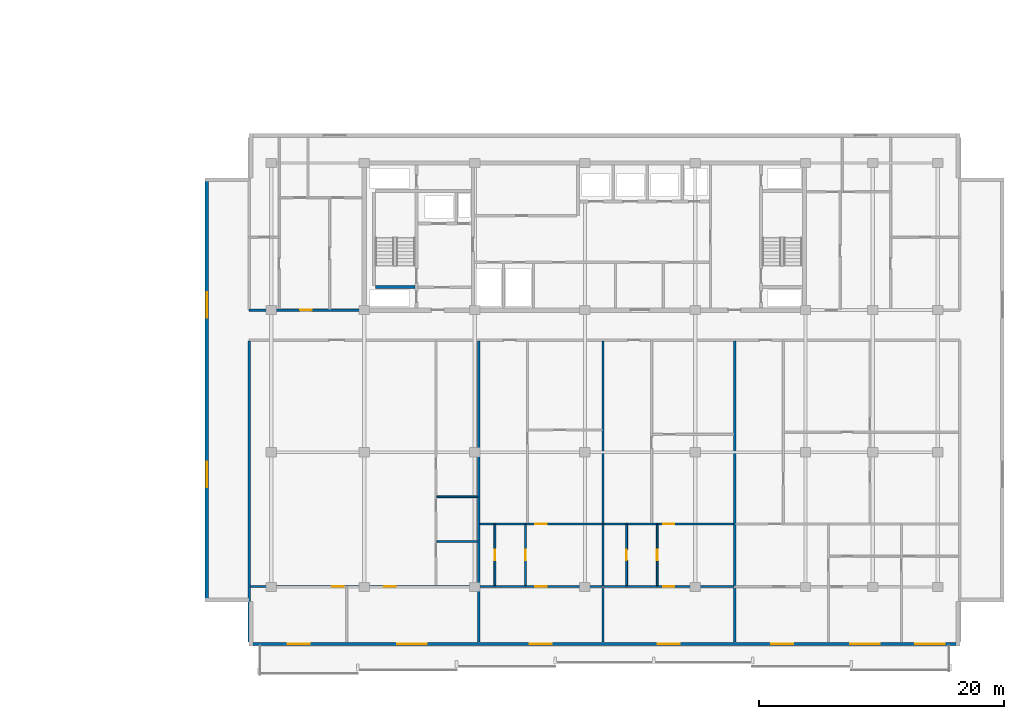
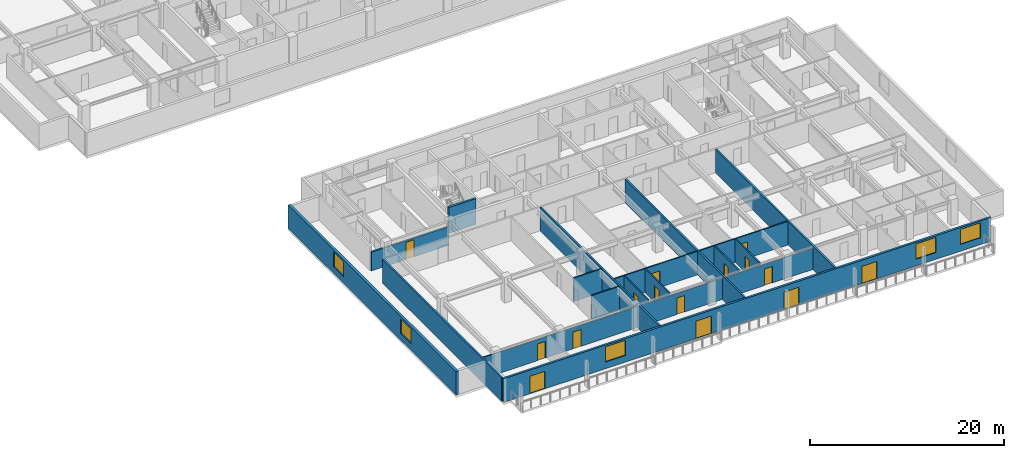
# One storey, part 4 of 21: 19 walls, 15 doors, 5 windows, 20 openings.
"""IFC4 building model written with IfcOpenShell, lengths in metres."""

from ifc_helpers import new_model, si_unit, direction, frame, frame_2d, origin, place, context, subcontext, project, spatial, rectangle, extrude, material, layer, layer_set, type_object, element, fill, save


model = new_model("IFC4")

# Units and contexts
model_context = context("Model", 3, precision=1e-05, world=origin(), true_north=direction((0.0, 1.0)))
body_context = subcontext(model_context, "Body", "Model", "MODEL_VIEW")
ifc_project = project(units=[si_unit("LENGTHUNIT", "METRE"), si_unit("AREAUNIT", "SQUARE_METRE"), si_unit("VOLUMEUNIT", "CUBIC_METRE"), si_unit("PLANEANGLEUNIT", "RADIAN"), si_unit("MASSUNIT", "GRAM", prefix="KILO")], contexts=[model_context])

# Site, building, storey
site_placement = place(None, origin())
site = spatial("IfcSite", under=ifc_project, at=site_placement, CompositionType="ELEMENT")
building_placement = place(site_placement, origin())
building = spatial("IfcBuilding", under=site, at=building_placement, Name="Korimba Cascade Residences", CompositionType="ELEMENT")
storey_placement = place(building_placement, frame((0.0, 0.0, 103.550048828125)))
storey = spatial("IfcBuildingStorey", under=building, at=storey_placement, Name="L29", CompositionType="ELEMENT", Elevation=103.550048828125)

# Wall, openings, doors, windows
ifc_material_1 = material(Name="Precast concrete C40/50", Category="concrete")
ifc_layer_1 = layer(ifc_material_1, 0.25)
ifc_layer_set_1 = layer_set([ifc_layer_1], Name="Precast concrete C40/50")
wall_type_1 = type_object("IfcWallType", Name="EW-LOG-250", PredefinedType="STANDARD", material=ifc_layer_set_1)
wall_1_placement = place(storey_placement, frame((72.699951171875, -8.85009765625, 0.0), z_axis=(0.0, 0.0, 1.0), x_axis=(1.0, 0.0, 0.0)))
wall_1 = element("IfcWall", 1, at=wall_1_placement, inside=storey, type_object=wall_type_1, Name="L29 T2 Perimeter Stone Wall E00", PredefinedType="STANDARD", context=body_context, shape_type="SweptSolid", body=[
    extrude(rectangle(XDim=58.0, YDim=0.25, at=frame_2d((29.0, 0.0))), origin(), (0.0, 0.0, 1.0), 2.969970703125),
])
opening_1_placement = place(wall_1_placement, frame((3.137451171875, 0.0, 0.0)))
opening_1 = element("IfcOpeningElement", 2, at=opening_1_placement, cuts=wall_1, Name="Opening D-LG1", PredefinedType="OPENING", context=body_context, shape_type="SweptSolid", body=[
    extrude(rectangle(XDim=1.800048828125, YDim=2.199951171875, at=frame_2d((0.89990234375, 1.10009765625))), frame((0.0, 0.135009765625, 0.0), z_axis=(0.0, -1.0, 0.0), x_axis=(1.0, 0.0, 0.0)), (0.0, 0.0, 1.0), 0.27001953125),
])
opening_2_placement = place(wall_1_placement, frame((12.092529296875, 0.0, 0.85009765625)))
opening_2 = element("IfcOpeningElement", 3, at=opening_2_placement, cuts=wall_1, Name="Opening W-01", PredefinedType="OPENING", context=body_context, shape_type="SweptSolid", body=[
    extrude(rectangle(XDim=2.39990234375, YDim=1.89990234375, at=frame_2d((1.199951171875, 0.949951171875))), frame((0.0, 0.135009765625, 0.0), z_axis=(0.0, -1.0, 0.0), x_axis=(1.0, 0.0, 0.0)), (0.0, 0.0, 1.0), 0.27001953125),
])
opening_3_placement = place(wall_1_placement, frame((22.91259765625, 0.0, 0.0)))
opening_3 = element("IfcOpeningElement", 4, at=opening_3_placement, cuts=wall_1, Name="Opening D-LG1", PredefinedType="OPENING", context=body_context, shape_type="SweptSolid", body=[
    extrude(rectangle(XDim=1.800048828125, YDim=2.199951171875, at=frame_2d((0.89990234375, 1.10009765625))), frame((0.0, 0.135009765625, 0.0), z_axis=(0.0, -1.0, 0.0), x_axis=(1.0, 0.0, 0.0)), (0.0, 0.0, 1.0), 0.27001953125),
])
opening_4_placement = place(wall_1_placement, frame((33.35009765625, 0.0, 0.0)))
opening_4 = element("IfcOpeningElement", 5, at=opening_4_placement, cuts=wall_1, Name="Opening D-LG1", PredefinedType="OPENING", context=body_context, shape_type="SweptSolid", body=[
    extrude(rectangle(XDim=1.800048828125, YDim=2.199951171875, at=frame_2d((0.89990234375, 1.10009765625))), frame((0.0, 0.135009765625, 0.0), z_axis=(0.0, -1.0, 0.0), x_axis=(1.0, 0.0, 0.0)), (0.0, 0.0, 1.0), 0.27001953125),
])
opening_5_placement = place(wall_1_placement, frame((49.054931640625, 0.0, 0.85009765625)))
opening_5 = element("IfcOpeningElement", 6, at=opening_5_placement, cuts=wall_1, Name="Opening W-01", PredefinedType="OPENING", context=body_context, shape_type="SweptSolid", body=[
    extrude(rectangle(XDim=2.39990234375, YDim=1.89990234375, at=frame_2d((1.199951171875, 0.949951171875))), frame((0.0, 0.135009765625, 0.0), z_axis=(0.0, -1.0, 0.0), x_axis=(1.0, 0.0, 0.0)), (0.0, 0.0, 1.0), 0.27001953125),
])
opening_6_placement = place(wall_1_placement, frame((42.612548828125, 0.0, 0.0)))
opening_6 = element("IfcOpeningElement", 7, at=opening_6_placement, cuts=wall_1, Name="Opening D-LG1", PredefinedType="OPENING", context=body_context, shape_type="SweptSolid", body=[
    extrude(rectangle(XDim=1.800048828125, YDim=2.199951171875, at=frame_2d((0.89990234375, 1.10009765625))), frame((0.0, 0.135009765625, 0.0), z_axis=(0.0, -1.0, 0.0), x_axis=(1.0, 0.0, 0.0)), (0.0, 0.0, 1.0), 0.27001953125),
])
opening_7_placement = place(wall_1_placement, frame((54.35498046875, 0.0, 0.85009765625)))
opening_7 = element("IfcOpeningElement", 8, at=opening_7_placement, cuts=wall_1, Name="Opening W-01", PredefinedType="OPENING", context=body_context, shape_type="SweptSolid", body=[
    extrude(rectangle(XDim=2.39990234375, YDim=1.89990234375, at=frame_2d((1.199951171875, 0.949951171875))), frame((0.0, 0.135009765625, 0.0), z_axis=(0.0, -1.0, 0.0), x_axis=(1.0, 0.0, 0.0)), (0.0, 0.0, 1.0), 0.27001953125),
])
ifc_material_2 = material(Name="Glazed Aluminium Loggia Sliding Door", Category="aluminium")
door_type_1 = type_object("IfcDoorType", Name="DR-EXT-LOG", OperationType="NOTDEFINED", PredefinedType="DOOR", material=ifc_material_2)
door_1_placement = place(opening_1_placement, origin())
door_1 = element("IfcDoor", 9, at=door_1_placement, inside=storey, type_object=door_type_1, Name="L29 T2 Loggia Sliding Door 3", OperationType="SLIDING_TO_RIGHT", OverallHeight=2.199951171875, OverallWidth=1.800048828125, PredefinedType="DOOR", context=body_context, shape_type="SweptSolid", body=[
    extrude(rectangle(XDim=1.800048828125, YDim=2.199951171875, at=frame_2d((0.89990234375, 1.10009765625))), frame((0.0, 0.02490234375, 0.0), z_axis=(0.0, -1.0, 0.0), x_axis=(1.0, 0.0, 0.0)), (0.0, 0.0, 1.0), 0.050048828125),
])
fill(opening_1, door_1)
door_2_placement = place(opening_3_placement, origin())
door_2 = element("IfcDoor", 10, at=door_2_placement, inside=storey, type_object=door_type_1, Name="L29 T2 Loggia Sliding Door 5", OperationType="SLIDING_TO_RIGHT", OverallHeight=2.199951171875, OverallWidth=1.800048828125, PredefinedType="DOOR", context=body_context, shape_type="SweptSolid", body=[
    extrude(rectangle(XDim=1.800048828125, YDim=2.199951171875, at=frame_2d((0.89990234375, 1.10009765625))), frame((0.0, 0.02490234375, 0.0), z_axis=(0.0, -1.0, 0.0), x_axis=(1.0, 0.0, 0.0)), (0.0, 0.0, 1.0), 0.050048828125),
])
fill(opening_3, door_2)
door_3_placement = place(opening_4_placement, origin())
door_3 = element("IfcDoor", 11, at=door_3_placement, inside=storey, type_object=door_type_1, Name="L29 T2 Loggia Sliding Door 6", OperationType="SLIDING_TO_RIGHT", OverallHeight=2.199951171875, OverallWidth=1.800048828125, PredefinedType="DOOR", context=body_context, shape_type="SweptSolid", body=[
    extrude(rectangle(XDim=1.800048828125, YDim=2.199951171875, at=frame_2d((0.89990234375, 1.10009765625))), frame((0.0, 0.02490234375, 0.0), z_axis=(0.0, -1.0, 0.0), x_axis=(1.0, 0.0, 0.0)), (0.0, 0.0, 1.0), 0.050048828125),
])
fill(opening_4, door_3)
door_4_placement = place(opening_6_placement, origin())
door_4 = element("IfcDoor", 12, at=door_4_placement, inside=storey, type_object=door_type_1, Name="L29 T2 Loggia Sliding Door 8", OperationType="SLIDING_TO_RIGHT", OverallHeight=2.199951171875, OverallWidth=1.800048828125, PredefinedType="DOOR", context=body_context, shape_type="SweptSolid", body=[
    extrude(rectangle(XDim=1.800048828125, YDim=2.199951171875, at=frame_2d((0.89990234375, 1.10009765625))), frame((0.0, 0.02490234375, 0.0), z_axis=(0.0, -1.0, 0.0), x_axis=(1.0, 0.0, 0.0)), (0.0, 0.0, 1.0), 0.050048828125),
])
fill(opening_6, door_4)
ifc_material_3 = material(Name="Double-Glazed Aluminium Window", Category="aluminium")
window_type_1 = type_object("IfcWindowType", Name="WIN-RES-2400", PartitioningType="DOUBLE_PANEL_VERTICAL", PredefinedType="WINDOW", material=ifc_material_3)
window_1_placement = place(opening_2_placement, origin())
window_1 = element("IfcWindow", 13, at=window_1_placement, inside=storey, type_object=window_type_1, Name="L29 T2 South Facade Window 4", OverallHeight=1.89990234375, OverallWidth=2.39990234375, PartitioningType="DOUBLE_PANEL_VERTICAL", PredefinedType="WINDOW", context=body_context, shape_type="SweptSolid", body=[
    extrude(rectangle(XDim=2.39990234375, YDim=1.89990234375, at=frame_2d((1.199951171875, 0.949951171875))), frame((0.0, 0.030029296875, 0.0), z_axis=(0.0, -1.0, 0.0), x_axis=(1.0, 0.0, 0.0)), (0.0, 0.0, 1.0), 0.06005859375),
])
fill(opening_2, window_1)
window_2_placement = place(opening_5_placement, origin())
window_2 = element("IfcWindow", 14, at=window_2_placement, inside=storey, type_object=window_type_1, Name="L29 T2 South Facade Window 7", OverallHeight=1.89990234375, OverallWidth=2.39990234375, PartitioningType="DOUBLE_PANEL_VERTICAL", PredefinedType="WINDOW", context=body_context, shape_type="SweptSolid", body=[
    extrude(rectangle(XDim=2.39990234375, YDim=1.89990234375, at=frame_2d((1.199951171875, 0.949951171875))), frame((0.0, 0.030029296875, 0.0), z_axis=(0.0, -1.0, 0.0), x_axis=(1.0, 0.0, 0.0)), (0.0, 0.0, 1.0), 0.06005859375),
])
fill(opening_5, window_2)
window_3_placement = place(opening_7_placement, origin())
window_3 = element("IfcWindow", 15, at=window_3_placement, inside=storey, type_object=window_type_1, Name="L29 T2 South Facade Window 9", OverallHeight=1.89990234375, OverallWidth=2.39990234375, PartitioningType="DOUBLE_PANEL_VERTICAL", PredefinedType="WINDOW", context=body_context, shape_type="SweptSolid", body=[
    extrude(rectangle(XDim=2.39990234375, YDim=1.89990234375, at=frame_2d((1.199951171875, 0.949951171875))), frame((0.0, 0.030029296875, 0.0), z_axis=(0.0, -1.0, 0.0), x_axis=(1.0, 0.0, 0.0)), (0.0, 0.0, 1.0), 0.06005859375),
])
fill(opening_7, window_3)

# Wall, openings, windows
ifc_layer_2 = layer(ifc_material_1, 0.300048828125)
ifc_layer_set_2 = layer_set([ifc_layer_2], Name="Precast concrete C40/50")
wall_type_2 = type_object("IfcWallType", Name="EW-STONE-300", PredefinedType="STANDARD", material=ifc_layer_set_2)
wall_2_placement = place(storey_placement, frame((69.25, 29.199951171875, 0.0), z_axis=(0.0, 0.0, 1.0), x_axis=(0.0, -1.0, 0.0)))
wall_2 = element("IfcWall", 16, at=wall_2_placement, inside=storey, type_object=wall_type_2, Name="L29 T2 Perimeter Stone Wall E09", PredefinedType="STANDARD", context=body_context, shape_type="SweptSolid", body=[
    extrude(rectangle(XDim=34.599853515625, YDim=0.300048828125, at=frame_2d((17.2998046875, 0.0))), origin(), (0.0, 0.0, 1.0), 2.969970703125),
])
opening_8_placement = place(wall_2_placement, frame((9.330078125, 0.0, 0.85009765625)))
opening_8 = element("IfcOpeningElement", 17, at=opening_8_placement, cuts=wall_2, Name="Opening W-03", PredefinedType="OPENING", context=body_context, shape_type="SweptSolid", body=[
    extrude(rectangle(XDim=2.10009765625, YDim=1.85009765625, at=frame_2d((1.050048828125, 0.925048828125))), frame((0.0, 0.16015625, 0.0), z_axis=(0.0, -1.0, 0.0), x_axis=(1.0, 0.0, 0.0)), (0.0, 0.0, 1.0), 0.320068359375),
])
opening_9_placement = place(wall_2_placement, frame((23.169921875, 0.0, 0.85009765625)))
opening_9 = element("IfcOpeningElement", 18, at=opening_9_placement, cuts=wall_2, Name="Opening W-03", PredefinedType="OPENING", context=body_context, shape_type="SweptSolid", body=[
    extrude(rectangle(XDim=2.10009765625, YDim=1.85009765625, at=frame_2d((1.050048828125, 0.925048828125))), frame((0.0, 0.16015625, 0.0), z_axis=(0.0, -1.0, 0.0), x_axis=(1.0, 0.0, 0.0)), (0.0, 0.0, 1.0), 0.320068359375),
])
window_type_2 = type_object("IfcWindowType", Name="WIN-CRN-2100", PartitioningType="DOUBLE_PANEL_HORIZONTAL", PredefinedType="WINDOW", material=ifc_material_3)
window_4_placement = place(opening_8_placement, origin())
window_4 = element("IfcWindow", 19, at=window_4_placement, inside=storey, type_object=window_type_2, Name="L29 T2 End View Window 9.1", OverallHeight=1.85009765625, OverallWidth=2.10009765625, PartitioningType="DOUBLE_PANEL_HORIZONTAL", PredefinedType="WINDOW", context=body_context, shape_type="SweptSolid", body=[
    extrude(rectangle(XDim=2.10009765625, YDim=1.85009765625, at=frame_2d((1.050048828125, 0.925048828125))), frame((0.0, 0.030029296875, 0.0), z_axis=(0.0, -1.0, 0.0), x_axis=(1.0, 0.0, 0.0)), (0.0, 0.0, 1.0), 0.06005859375),
])
fill(opening_8, window_4)
window_5_placement = place(opening_9_placement, origin())
window_5 = element("IfcWindow", 20, at=window_5_placement, inside=storey, type_object=window_type_2, Name="L29 T2 End View Window 9.2", OverallHeight=1.85009765625, OverallWidth=2.10009765625, PartitioningType="DOUBLE_PANEL_HORIZONTAL", PredefinedType="WINDOW", context=body_context, shape_type="SweptSolid", body=[
    extrude(rectangle(XDim=2.10009765625, YDim=1.85009765625, at=frame_2d((1.050048828125, 0.925048828125))), frame((0.0, 0.030029296875, 0.0), z_axis=(0.0, -1.0, 0.0), x_axis=(1.0, 0.0, 0.0)), (0.0, 0.0, 1.0), 0.06005859375),
])
fill(opening_9, window_5)

# Wall, opening, door
ifc_layer_3 = layer(ifc_material_1, 0.199951171875)
ifc_layer_set_3 = layer_set([ifc_layer_3], Name="Precast concrete C40/50")
wall_type_3 = type_object("IfcWallType", Name="WAL-IT-200", PredefinedType="PARTITIONING", material=ifc_layer_set_3)
wall_3_placement = place(storey_placement, frame((72.699951171875, 18.39990234375, 0.0), z_axis=(0.0, 0.0, 1.0), x_axis=(1.0, 0.0, 0.0)))
wall_3 = element("IfcWall", 21, at=wall_3_placement, inside=storey, type_object=wall_type_3, Name="L29 Partition Wall WAL-L29-T2-FW-S", PredefinedType="PARTITIONING", context=body_context, shape_type="SweptSolid", body=[
    extrude(rectangle(XDim=9.25, YDim=0.199951171875, at=frame_2d((4.625, 0.0))), origin(), (0.0, 0.0, 1.0), 2.357666015625),
])
opening_10_placement = place(wall_3_placement, frame((4.14990234375, 0.0, 0.0)))
opening_10 = element("IfcOpeningElement", 22, at=opening_10_placement, cuts=wall_3, Name="Opening D-UN1", PredefinedType="OPENING", context=body_context, shape_type="SweptSolid", body=[
    extrude(rectangle(XDim=0.949951171875, YDim=2.14990234375, at=frame_2d((0.47509765625, 1.074951171875))), frame((0.0, 0.10986328125, 0.0), z_axis=(0.0, -1.0, 0.0), x_axis=(1.0, 0.0, 0.0)), (0.0, 0.0, 1.0), 0.219970703125),
])
ifc_material_4 = material(Name="Fire-Rated Hardwood Apartment Entrance Door", Category="wood")
door_type_2 = type_object("IfcDoorType", Name="DR-FD60-950", OperationType="NOTDEFINED", PredefinedType="DOOR", material=ifc_material_4)
door_5_placement = place(opening_10_placement, origin())
door_5 = element("IfcDoor", 23, at=door_5_placement, inside=storey, type_object=door_type_2, Name="L29-T2-FW Entrance Door", OperationType="SINGLE_SWING_LEFT", OverallHeight=2.14990234375, OverallWidth=0.949951171875, PredefinedType="DOOR", context=body_context, shape_type="SweptSolid", body=[
    extrude(rectangle(XDim=0.949951171875, YDim=2.14990234375, at=frame_2d((0.47509765625, 1.074951171875))), frame((0.0, 0.02490234375, 0.0), z_axis=(0.0, -1.0, 0.0), x_axis=(1.0, 0.0, 0.0)), (0.0, 0.0, 1.0), 0.050048828125),
])
fill(opening_10, door_5)

# Walls
for number, where, z_axis, x_axis, name in (
    (24, (72.699951171875, -8.699951171875, 0.0), (0.0, 0.0, 1.0), (0.0, 1.0, 0.0), "L29 Partition Wall WAL-L29-T2-BNDWL"),
    (25, (91.449951171875, -8.699951171875, 0.0), (0.0, 0.0, 1.0), (0.0, 1.0, 0.0), "L29 Partition Wall WAL-L29-T2-DEM-1"),
    (26, (101.574951171875, -8.699951171875, 0.0), (0.0, 0.0, 1.0), (0.0, 1.0, 0.0), "L29 Partition Wall WAL-L29-T2-DEM-2"),
    (27, (112.324951171875, -8.699951171875, 0.0), (0.0, 0.0, 1.0), (0.0, 1.0, 0.0), "L29 Partition Wall WAL-L29-T2-DEM-3"),
):
    element("IfcWall", number, at=place(storey_placement, frame(where, z_axis=z_axis, x_axis=x_axis)), inside=storey, type_object=wall_type_3, Name=name, PredefinedType="PARTITIONING", context=body_context, shape_type="SweptSolid", body=[
        extrude(rectangle(XDim=24.570068359375, YDim=0.199951171875, at=frame_2d((12.28515625, 0.0))), origin(), (0.0, 0.0, 1.0), 2.969970703125),
    ])
ifc_material_5 = material(Name="Insulated Acoustic Stud Partition", Category="gypsum")
ifc_layer_4 = layer(ifc_material_5, 0.14990234375)
ifc_layer_set_4 = layer_set([ifc_layer_4], Name="Insulated Acoustic Stud Partition")
wall_type_4 = type_object("IfcWallType", Name="WAL-PART-150", PredefinedType="PARTITIONING", material=ifc_layer_set_4)
for number, where, z_axis, x_axis, name in (
    (28, (88.010009765625, -0.47998046875, 0.0), (0.0, 0.0, 1.0), (1.0, 0.0, 0.0), "L29 Partition Wall WAL-L29-T2-U01-WCH"),
    (29, (88.010009765625, 3.169921875, 0.0), (0.0, 0.0, 1.0), (1.0, 0.0, 0.0), "L29 Partition Wall WAL-L29-T2-U01-WCH2"),
):
    element("IfcWall", number, at=place(storey_placement, frame(where, z_axis=z_axis, x_axis=x_axis)), inside=storey, type_object=wall_type_4, Name=name, PredefinedType="PARTITIONING", context=body_context, shape_type="SweptSolid", body=[
        extrude(rectangle(XDim=3.360107421875, YDim=0.14990234375, at=frame_2d((1.68017578125, 0.0))), origin(), (0.0, 0.0, 1.0), 2.969970703125),
    ])

# Wall, openings, doors
wall_4_placement = place(storey_placement, frame((72.780029296875, -4.14990234375, 0.0), z_axis=(0.0, 0.0, 1.0), x_axis=(1.0, 0.0, 0.0)))
wall_4 = element("IfcWall", 30, at=wall_4_placement, inside=storey, type_object=wall_type_4, Name="L29 Partition Wall WAL-L29-T2-U01-HZ", PredefinedType="PARTITIONING", context=body_context, shape_type="SweptSolid", body=[
    extrude(rectangle(XDim=18.590087890625, YDim=0.14990234375, at=frame_2d((9.294921875, 0.0))), origin(), (0.0, 0.0, 1.0), 2.663330078125),
])
opening_11_placement = place(wall_4_placement, frame((6.68505859375, 0.0, 0.0)))
opening_11 = element("IfcOpeningElement", 31, at=opening_11_placement, cuts=wall_4, Name="Opening D-IN0", PredefinedType="OPENING", context=body_context, shape_type="SweptSolid", body=[
    extrude(rectangle(XDim=0.93994140625, YDim=2.10009765625, at=frame_2d((0.469970703125, 1.050048828125))), frame((0.0, 0.0849609375, 0.0), z_axis=(0.0, -1.0, 0.0), x_axis=(1.0, 0.0, 0.0)), (0.0, 0.0, 1.0), 0.169921875),
])
opening_12_placement = place(wall_4_placement, frame((10.935302734375, 0.0, 0.0)))
opening_12 = element("IfcOpeningElement", 32, at=opening_12_placement, cuts=wall_4, Name="Opening D-IN0", PredefinedType="OPENING", context=body_context, shape_type="SweptSolid", body=[
    extrude(rectangle(XDim=0.93994140625, YDim=2.10009765625, at=frame_2d((0.469970703125, 1.050048828125))), frame((0.0, 0.0849609375, 0.0), z_axis=(0.0, -1.0, 0.0), x_axis=(1.0, 0.0, 0.0)), (0.0, 0.0, 1.0), 0.169921875),
])
ifc_material_6 = material(Name="Acoustic Timber Living Archway Door", Category="wood")
door_type_3 = type_object("IfcDoorType", Name="DR-INT-950", OperationType="NOTDEFINED", PredefinedType="DOOR", material=ifc_material_6)
door_6_placement = place(opening_11_placement, origin())
door_6 = element("IfcDoor", 33, at=door_6_placement, inside=storey, type_object=door_type_3, Name="L29-T2-U01 Resident Boardroom Door", OperationType="SINGLE_SWING_LEFT", OverallHeight=2.10009765625, OverallWidth=0.93994140625, PredefinedType="DOOR", context=body_context, shape_type="SweptSolid", body=[
    extrude(rectangle(XDim=0.93994140625, YDim=2.10009765625, at=frame_2d((0.469970703125, 1.050048828125))), frame((0.0, 0.02490234375, 0.0), z_axis=(0.0, -1.0, 0.0), x_axis=(1.0, 0.0, 0.0)), (0.0, 0.0, 1.0), 0.050048828125),
])
fill(opening_11, door_6)
door_7_placement = place(opening_12_placement, origin())
door_7 = element("IfcDoor", 34, at=door_7_placement, inside=storey, type_object=door_type_3, Name="L29-T2-U01 Executive Seminar Room Door", OperationType="SINGLE_SWING_RIGHT", OverallHeight=2.10009765625, OverallWidth=0.93994140625, PredefinedType="DOOR", context=body_context, shape_type="SweptSolid", body=[
    extrude(rectangle(XDim=0.93994140625, YDim=2.10009765625, at=frame_2d((0.469970703125, 1.050048828125))), frame((0.0, 0.02490234375, 0.0), z_axis=(0.0, -1.0, 0.0), x_axis=(1.0, 0.0, 0.0)), (0.0, 0.0, 1.0), 0.050048828125),
])
fill(opening_12, door_7)

# Wall, opening, door
wall_5_placement = place(storey_placement, frame((92.7548828125, -4.090087890625, 0.0), z_axis=(0.0, 0.0, 1.0), x_axis=(0.0, 1.0, 0.0)))
wall_5 = element("IfcWall", 35, at=wall_5_placement, inside=storey, type_object=wall_type_4, Name="L29 Partition Wall WAL-L29-T2-U02-CLS", PredefinedType="PARTITIONING", context=body_context, shape_type="SweptSolid", body=[
    extrude(rectangle(XDim=5.0, YDim=0.14990234375, at=frame_2d((2.5, 0.0))), origin(), (0.0, 0.0, 1.0), 2.969970703125),
])
opening_13_placement = place(wall_5_placement, frame((2.080078125, 0.0, 0.0)))
opening_13 = element("IfcOpeningElement", 36, at=opening_13_placement, cuts=wall_5, Name="Opening D-BT1", PredefinedType="OPENING", context=body_context, shape_type="SweptSolid", body=[
    extrude(rectangle(XDim=0.840087890625, YDim=2.0400390625, at=frame_2d((0.419921875, 1.02001953125))), frame((0.0, 0.0849609375, 0.0), z_axis=(0.0, -1.0, 0.0), x_axis=(1.0, 0.0, 0.0)), (0.0, 0.0, 1.0), 0.169921875),
])
ifc_material_7 = material(Name="Moisture-Resistant Bathroom Timber Door", Category="wood")
door_type_4 = type_object("IfcDoorType", Name="DR-INT-850", OperationType="NOTDEFINED", PredefinedType="DOOR", material=ifc_material_7)
door_8_placement = place(opening_13_placement, origin())
door_8 = element("IfcDoor", 37, at=door_8_placement, inside=storey, type_object=door_type_4, Name="L29-T2-U02 Closet Door", OperationType="SINGLE_SWING_LEFT", OverallHeight=2.0400390625, OverallWidth=0.840087890625, PredefinedType="DOOR", context=body_context, shape_type="SweptSolid", body=[
    extrude(rectangle(XDim=0.840087890625, YDim=2.0400390625, at=frame_2d((0.419921875, 1.02001953125))), frame((0.0, 0.02490234375, 0.0), z_axis=(0.0, -1.0, 0.0), x_axis=(1.0, 0.0, 0.0)), (0.0, 0.0, 1.0), 0.050048828125),
])
fill(opening_13, door_8)

wall_6_placement = place(storey_placement, frame((95.2548828125, -4.090087890625, 0.0), z_axis=(0.0, 0.0, 1.0), x_axis=(0.0, 1.0, 0.0)))
wall_6 = element("IfcWall", 38, at=wall_6_placement, inside=storey, type_object=wall_type_4, Name="L29 Partition Wall WAL-L29-T2-U02-BM", PredefinedType="PARTITIONING", context=body_context, shape_type="SweptSolid", body=[
    extrude(rectangle(XDim=5.0, YDim=0.14990234375, at=frame_2d((2.5, 0.0))), origin(), (0.0, 0.0, 1.0), 2.969970703125),
])
opening_14_placement = place(wall_6_placement, frame((2.080078125, 0.0, 0.0)))
opening_14 = element("IfcOpeningElement", 39, at=opening_14_placement, cuts=wall_6, Name="Opening D-BT1", PredefinedType="OPENING", context=body_context, shape_type="SweptSolid", body=[
    extrude(rectangle(XDim=0.840087890625, YDim=2.0400390625, at=frame_2d((0.419921875, 1.02001953125))), frame((0.0, 0.0849609375, 0.0), z_axis=(0.0, -1.0, 0.0), x_axis=(1.0, 0.0, 0.0)), (0.0, 0.0, 1.0), 0.169921875),
])
door_9_placement = place(opening_14_placement, origin())
door_9 = element("IfcDoor", 40, at=door_9_placement, inside=storey, type_object=door_type_4, Name="L29-T2-U02 Bathroom Door", OperationType="SINGLE_SWING_RIGHT", OverallHeight=2.0400390625, OverallWidth=0.840087890625, PredefinedType="DOOR", context=body_context, shape_type="SweptSolid", body=[
    extrude(rectangle(XDim=0.840087890625, YDim=2.0400390625, at=frame_2d((0.419921875, 1.02001953125))), frame((0.0, 0.02490234375, 0.0), z_axis=(0.0, -1.0, 0.0), x_axis=(1.0, 0.0, 0.0)), (0.0, 0.0, 1.0), 0.050048828125),
])
fill(opening_14, door_9)

wall_7_placement = place(storey_placement, frame((91.530029296875, 0.949951171875, 0.0), z_axis=(0.0, 0.0, 1.0), x_axis=(1.0, 0.0, 0.0)))
wall_7 = element("IfcWall", 41, at=wall_7_placement, inside=storey, type_object=wall_type_4, Name="L29 Partition Wall WAL-L29-T2-U02-MW", PredefinedType="PARTITIONING", context=body_context, shape_type="SweptSolid", body=[
    extrude(rectangle(XDim=9.965087890625, YDim=0.14990234375, at=frame_2d((4.982421875, 0.0))), origin(), (0.0, 0.0, 1.0), 2.969970703125),
])
opening_15_placement = place(wall_7_placement, frame((4.5224609375, 0.0, 0.0)))
opening_15 = element("IfcOpeningElement", 42, at=opening_15_placement, cuts=wall_7, Name="Opening D-IN1", PredefinedType="OPENING", context=body_context, shape_type="SweptSolid", body=[
    extrude(rectangle(XDim=0.919921875, YDim=2.080078125, at=frame_2d((0.4599609375, 1.0400390625))), frame((0.0, 0.0849609375, 0.0), z_axis=(0.0, -1.0, 0.0), x_axis=(1.0, 0.0, 0.0)), (0.0, 0.0, 1.0), 0.169921875),
])
ifc_material_8 = material(Name="Acoustic Timber Living Door", Category="wood")
door_type_5 = type_object("IfcDoorType", Name="DR-INT-920", OperationType="NOTDEFINED", PredefinedType="DOOR", material=ifc_material_8)
door_10_placement = place(opening_15_placement, origin())
door_10 = element("IfcDoor", 43, at=door_10_placement, inside=storey, type_object=door_type_5, Name="L29-T2-U02 Studio Kitchen Door", OperationType="SINGLE_SWING_LEFT", OverallHeight=2.080078125, OverallWidth=0.919921875, PredefinedType="DOOR", context=body_context, shape_type="SweptSolid", body=[
    extrude(rectangle(XDim=0.919921875, YDim=2.080078125, at=frame_2d((0.4599609375, 1.0400390625))), frame((0.0, 0.02490234375, 0.0), z_axis=(0.0, -1.0, 0.0), x_axis=(1.0, 0.0, 0.0)), (0.0, 0.0, 1.0), 0.050048828125),
])
fill(opening_15, door_10)

wall_8_placement = place(storey_placement, frame((91.530029296875, -4.14990234375, 0.0), z_axis=(0.0, 0.0, 1.0), x_axis=(1.0, 0.0, 0.0)))
wall_8 = element("IfcWall", 44, at=wall_8_placement, inside=storey, type_object=wall_type_4, Name="L29 Partition Wall WAL-L29-T2-U02-HZ", PredefinedType="PARTITIONING", context=body_context, shape_type="SweptSolid", body=[
    extrude(rectangle(XDim=9.965087890625, YDim=0.14990234375, at=frame_2d((4.982421875, 0.0))), origin(), (0.0, 0.0, 1.0), 2.663330078125),
])
opening_16_placement = place(wall_8_placement, frame((4.5224609375, 0.0, 0.0)))
opening_16 = element("IfcOpeningElement", 45, at=opening_16_placement, cuts=wall_8, Name="Opening D-IN1", PredefinedType="OPENING", context=body_context, shape_type="SweptSolid", body=[
    extrude(rectangle(XDim=0.919921875, YDim=2.080078125, at=frame_2d((0.4599609375, 1.0400390625))), frame((0.0, 0.0849609375, 0.0), z_axis=(0.0, -1.0, 0.0), x_axis=(1.0, 0.0, 0.0)), (0.0, 0.0, 1.0), 0.169921875),
])
door_11_placement = place(opening_16_placement, origin())
door_11 = element("IfcDoor", 46, at=door_11_placement, inside=storey, type_object=door_type_5, Name="L29-T2-U02 Studio Door", OperationType="SINGLE_SWING_RIGHT", OverallHeight=2.080078125, OverallWidth=0.919921875, PredefinedType="DOOR", context=body_context, shape_type="SweptSolid", body=[
    extrude(rectangle(XDim=0.919921875, YDim=2.080078125, at=frame_2d((0.4599609375, 1.0400390625))), frame((0.0, 0.02490234375, 0.0), z_axis=(0.0, -1.0, 0.0), x_axis=(1.0, 0.0, 0.0)), (0.0, 0.0, 1.0), 0.050048828125),
])
fill(opening_16, door_11)

wall_9_placement = place(storey_placement, frame((103.5048828125, -4.090087890625, 0.0), z_axis=(0.0, 0.0, 1.0), x_axis=(0.0, 1.0, 0.0)))
wall_9 = element("IfcWall", 47, at=wall_9_placement, inside=storey, type_object=wall_type_4, Name="L29 Partition Wall WAL-L29-T2-U03-CLS", PredefinedType="PARTITIONING", context=body_context, shape_type="SweptSolid", body=[
    extrude(rectangle(XDim=5.0, YDim=0.14990234375, at=frame_2d((2.5, 0.0))), origin(), (0.0, 0.0, 1.0), 2.969970703125),
])
opening_17_placement = place(wall_9_placement, frame((2.080078125, 0.0, 0.0)))
opening_17 = element("IfcOpeningElement", 48, at=opening_17_placement, cuts=wall_9, Name="Opening D-BT1", PredefinedType="OPENING", context=body_context, shape_type="SweptSolid", body=[
    extrude(rectangle(XDim=0.840087890625, YDim=2.0400390625, at=frame_2d((0.419921875, 1.02001953125))), frame((0.0, 0.0849609375, 0.0), z_axis=(0.0, -1.0, 0.0), x_axis=(1.0, 0.0, 0.0)), (0.0, 0.0, 1.0), 0.169921875),
])
door_12_placement = place(opening_17_placement, origin())
door_12 = element("IfcDoor", 49, at=door_12_placement, inside=storey, type_object=door_type_4, Name="L29-T2-U03 Closet Door", OperationType="SINGLE_SWING_LEFT", OverallHeight=2.0400390625, OverallWidth=0.840087890625, PredefinedType="DOOR", context=body_context, shape_type="SweptSolid", body=[
    extrude(rectangle(XDim=0.840087890625, YDim=2.0400390625, at=frame_2d((0.419921875, 1.02001953125))), frame((0.0, 0.02490234375, 0.0), z_axis=(0.0, -1.0, 0.0), x_axis=(1.0, 0.0, 0.0)), (0.0, 0.0, 1.0), 0.050048828125),
])
fill(opening_17, door_12)

wall_10_placement = place(storey_placement, frame((106.0048828125, -4.090087890625, 0.0), z_axis=(0.0, 0.0, 1.0), x_axis=(0.0, 1.0, 0.0)))
wall_10 = element("IfcWall", 50, at=wall_10_placement, inside=storey, type_object=wall_type_4, Name="L29 Partition Wall WAL-L29-T2-U03-BM", PredefinedType="PARTITIONING", context=body_context, shape_type="SweptSolid", body=[
    extrude(rectangle(XDim=5.0, YDim=0.14990234375, at=frame_2d((2.5, 0.0))), origin(), (0.0, 0.0, 1.0), 2.969970703125),
])
opening_18_placement = place(wall_10_placement, frame((2.080078125, 0.0, 0.0)))
opening_18 = element("IfcOpeningElement", 51, at=opening_18_placement, cuts=wall_10, Name="Opening D-BT1", PredefinedType="OPENING", context=body_context, shape_type="SweptSolid", body=[
    extrude(rectangle(XDim=0.840087890625, YDim=2.0400390625, at=frame_2d((0.419921875, 1.02001953125))), frame((0.0, 0.0849609375, 0.0), z_axis=(0.0, -1.0, 0.0), x_axis=(1.0, 0.0, 0.0)), (0.0, 0.0, 1.0), 0.169921875),
])
door_13_placement = place(opening_18_placement, origin())
door_13 = element("IfcDoor", 52, at=door_13_placement, inside=storey, type_object=door_type_4, Name="L29-T2-U03 Bathroom Door", OperationType="SINGLE_SWING_RIGHT", OverallHeight=2.0400390625, OverallWidth=0.840087890625, PredefinedType="DOOR", context=body_context, shape_type="SweptSolid", body=[
    extrude(rectangle(XDim=0.840087890625, YDim=2.0400390625, at=frame_2d((0.419921875, 1.02001953125))), frame((0.0, 0.02490234375, 0.0), z_axis=(0.0, -1.0, 0.0), x_axis=(1.0, 0.0, 0.0)), (0.0, 0.0, 1.0), 0.050048828125),
])
fill(opening_18, door_13)

wall_11_placement = place(storey_placement, frame((101.655029296875, 0.949951171875, 0.0), z_axis=(0.0, 0.0, 1.0), x_axis=(1.0, 0.0, 0.0)))
wall_11 = element("IfcWall", 53, at=wall_11_placement, inside=storey, type_object=wall_type_4, Name="L29 Partition Wall WAL-L29-T2-U03-MW", PredefinedType="PARTITIONING", context=body_context, shape_type="SweptSolid", body=[
    extrude(rectangle(XDim=10.590087890625, YDim=0.14990234375, at=frame_2d((5.294921875, 0.0))), origin(), (0.0, 0.0, 1.0), 2.969970703125),
])
opening_19_placement = place(wall_11_placement, frame((4.8349609375, 0.0, 0.0)))
opening_19 = element("IfcOpeningElement", 54, at=opening_19_placement, cuts=wall_11, Name="Opening D-IN1", PredefinedType="OPENING", context=body_context, shape_type="SweptSolid", body=[
    extrude(rectangle(XDim=0.919921875, YDim=2.080078125, at=frame_2d((0.4599609375, 1.0400390625))), frame((0.0, 0.0849609375, 0.0), z_axis=(0.0, -1.0, 0.0), x_axis=(1.0, 0.0, 0.0)), (0.0, 0.0, 1.0), 0.169921875),
])
door_14_placement = place(opening_19_placement, origin())
door_14 = element("IfcDoor", 55, at=door_14_placement, inside=storey, type_object=door_type_5, Name="L29-T2-U03 Studio Kitchen Door", OperationType="SINGLE_SWING_LEFT", OverallHeight=2.080078125, OverallWidth=0.919921875, PredefinedType="DOOR", context=body_context, shape_type="SweptSolid", body=[
    extrude(rectangle(XDim=0.919921875, YDim=2.080078125, at=frame_2d((0.4599609375, 1.0400390625))), frame((0.0, 0.02490234375, 0.0), z_axis=(0.0, -1.0, 0.0), x_axis=(1.0, 0.0, 0.0)), (0.0, 0.0, 1.0), 0.050048828125),
])
fill(opening_19, door_14)

wall_12_placement = place(storey_placement, frame((101.655029296875, -4.14990234375, 0.0), z_axis=(0.0, 0.0, 1.0), x_axis=(1.0, 0.0, 0.0)))
wall_12 = element("IfcWall", 56, at=wall_12_placement, inside=storey, type_object=wall_type_4, Name="L29 Partition Wall WAL-L29-T2-U03-HZ", PredefinedType="PARTITIONING", context=body_context, shape_type="SweptSolid", body=[
    extrude(rectangle(XDim=10.590087890625, YDim=0.14990234375, at=frame_2d((5.294921875, 0.0))), origin(), (0.0, 0.0, 1.0), 2.663330078125),
])
opening_20_placement = place(wall_12_placement, frame((4.8349609375, 0.0, 0.0)))
opening_20 = element("IfcOpeningElement", 57, at=opening_20_placement, cuts=wall_12, Name="Opening D-IN1", PredefinedType="OPENING", context=body_context, shape_type="SweptSolid", body=[
    extrude(rectangle(XDim=0.919921875, YDim=2.080078125, at=frame_2d((0.4599609375, 1.0400390625))), frame((0.0, 0.0849609375, 0.0), z_axis=(0.0, -1.0, 0.0), x_axis=(1.0, 0.0, 0.0)), (0.0, 0.0, 1.0), 0.169921875),
])
door_15_placement = place(opening_20_placement, origin())
door_15 = element("IfcDoor", 58, at=door_15_placement, inside=storey, type_object=door_type_5, Name="L29-T2-U03 Studio Door", OperationType="SINGLE_SWING_RIGHT", OverallHeight=2.080078125, OverallWidth=0.919921875, PredefinedType="DOOR", context=body_context, shape_type="SweptSolid", body=[
    extrude(rectangle(XDim=0.919921875, YDim=2.080078125, at=frame_2d((0.4599609375, 1.0400390625))), frame((0.0, 0.02490234375, 0.0), z_axis=(0.0, -1.0, 0.0), x_axis=(1.0, 0.0, 0.0)), (0.0, 0.0, 1.0), 0.050048828125),
])
fill(opening_20, door_15)

# Wall
ifc_material_9 = material(Name="Concrete C50/60", Category="concrete")
ifc_layer_5 = layer(ifc_material_9, 0.25)
ifc_layer_set_5 = layer_set([ifc_layer_5], Name="Concrete C50/60")
wall_type_5 = type_object("IfcWallType", Name="WAL-SHAFT-250", PredefinedType="SHEAR", material=ifc_layer_set_5)
wall_13_placement = place(storey_placement, frame((83.0, 20.27490234375, 0.0), z_axis=(0.0, 0.0, 1.0), x_axis=(1.0, 0.0, 0.0)))
element("IfcWall", 59, at=wall_13_placement, inside=storey, type_object=wall_type_5, Name="L29 Core Shear Wall CW-L29-T2-STE1S", PredefinedType="SHEAR", context=body_context, shape_type="SweptSolid", body=[
    extrude(rectangle(XDim=3.239990234375, YDim=0.25, at=frame_2d((1.6201171875, 0.0))), origin(), (0.0, 0.0, 1.0), 3.25),
])

save(model, "model.ifc")
